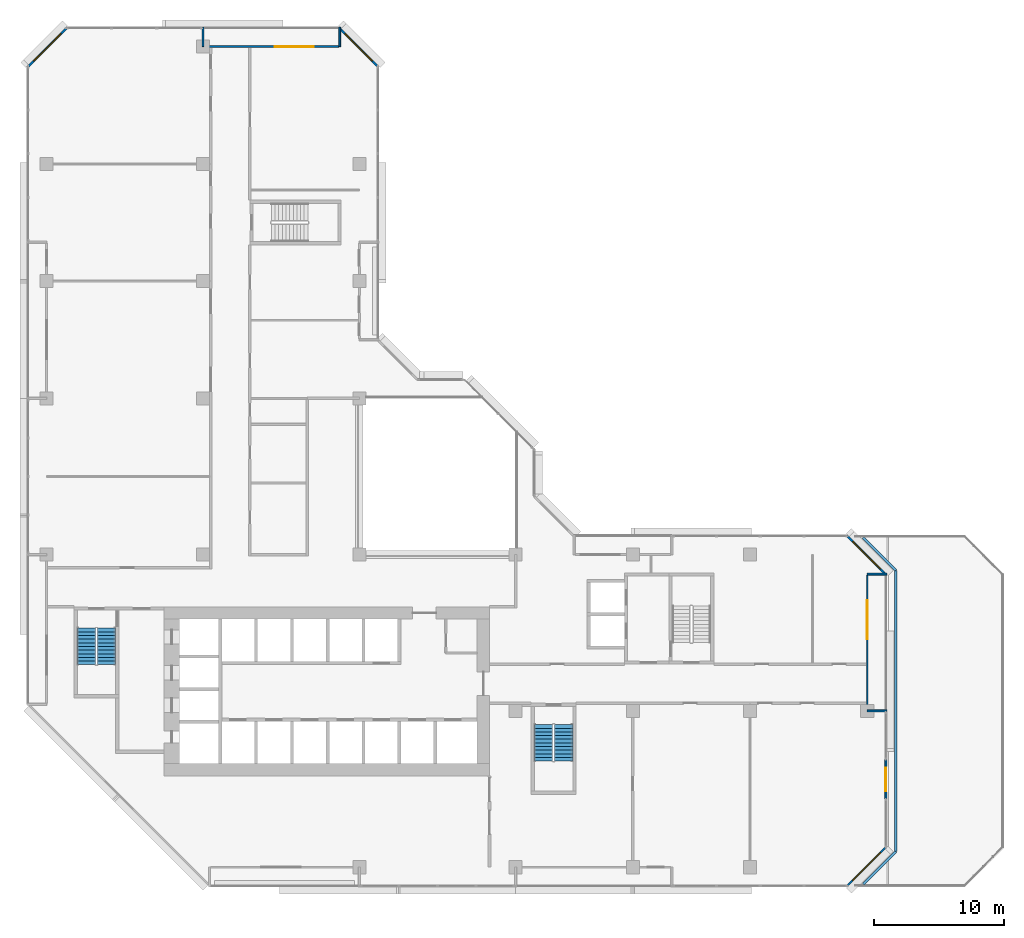
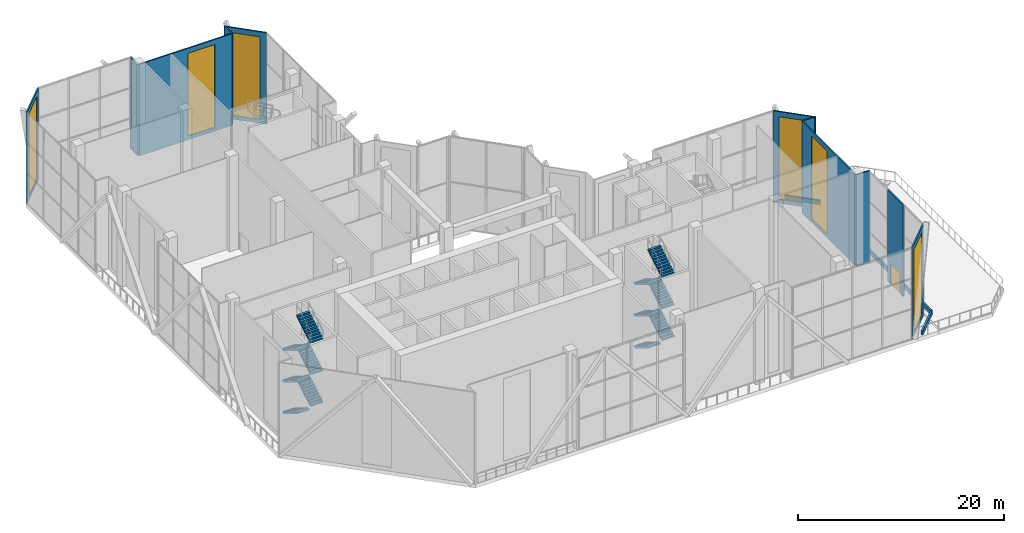
# One storey, part 16 of 21: 14 walls, 12 stair flights, 6 windows, 1 door, 7 openings, 2 elements without a shape of their own.
"""IFC4 building model written with IfcOpenShell, lengths in metres."""

from ifc_helpers import new_model, si_unit, direction, frame, frame_2d, origin, place, context, subcontext, project, spatial, polyline, rectangle, outline, extrude, material, layer, layer_set, type_object, element, fill, aggregate, save


model = new_model("IFC4")

# Units and contexts
model_context = context("Model", 3, precision=1e-05, world=origin(), true_north=direction((0.0, 1.0)))
body_context = subcontext(model_context, "Body", "Model", "MODEL_VIEW")
ifc_project = project(units=[si_unit("LENGTHUNIT", "METRE"), si_unit("AREAUNIT", "SQUARE_METRE"), si_unit("VOLUMEUNIT", "CUBIC_METRE"), si_unit("PLANEANGLEUNIT", "RADIAN"), si_unit("MASSUNIT", "GRAM", prefix="KILO")], contexts=[model_context])

# Site, building, storey
site_placement = place(None, origin())
site = spatial("IfcSite", under=ifc_project, at=site_placement, CompositionType="ELEMENT")
building_placement = place(site_placement, origin())
building = spatial("IfcBuilding", under=site, at=building_placement, Name="Chenar Terraces", CompositionType="ELEMENT")
storey_placement = place(building_placement, frame((0.0, 0.0, 146.14990234375)))
storey = spatial("IfcBuildingStorey", under=building, at=storey_placement, Name="L34", CompositionType="ELEMENT", Elevation=146.14990234375)

# Wall, opening, door
ifc_material_1 = material(Name="Aluminium framed glazing", Category="aluminium")
ifc_layer_1 = layer(ifc_material_1, 0.14990234375)
ifc_layer_set_1 = layer_set([ifc_layer_1], Name="Aluminium framed glazing")
wall_type_1 = type_object("IfcWallType", Name="Glazed flush facade wall 150", PredefinedType="SOLIDWALL", material=ifc_layer_set_1)
wall_1_placement = place(storey_placement, frame((64.425048828125, 5.25, 0.0), z_axis=(0.0, 0.0, 1.0), x_axis=(0.0, 1.0, 0.0)))
wall_1 = element("IfcWall", 1, at=wall_1_placement, inside=storey, type_object=wall_type_1, Name="Glazed flush facade wall", PredefinedType="SOLIDWALL", context=body_context, shape_type="SweptSolid", body=[
    extrude(rectangle(XDim=3.0, YDim=0.14990234375, at=frame_2d((1.5, 0.0))), origin(), (0.0, 0.0, 1.0), 10.85009765625),
])
opening_1_placement = place(wall_1_placement, frame((0.60009765625, 0.0, 0.0)))
opening_1 = element("IfcOpeningElement", 2, at=opening_1_placement, cuts=wall_1, Name="Opening DL34-S35", PredefinedType="OPENING", context=body_context, shape_type="SweptSolid", body=[
    extrude(rectangle(XDim=1.800048828125, YDim=2.39990234375, at=frame_2d((0.89990234375, 1.199951171875))), frame((0.0, 0.0849609375, 0.0), z_axis=(0.0, -1.0, 0.0), x_axis=(1.0, 0.0, 0.0)), (0.0, 0.0, 1.0), 0.169921875),
])
ifc_material_2 = material(Name="Low emissivity double glazing, aluminium frame", Category="aluminium")
door_type = type_object("IfcDoorType", Name="Terrace glazed double door 1800 x 2400", OperationType="DOUBLE_DOOR_SINGLE_SWING", PredefinedType="DOOR", material=ifc_material_2)
door_placement = place(opening_1_placement, origin())
door = element("IfcDoor", 3, at=door_placement, inside=storey, type_object=door_type, Name="Terrace glazed door", OperationType="DOUBLE_DOOR_SINGLE_SWING", OverallHeight=2.39990234375, OverallWidth=1.800048828125, PredefinedType="DOOR", context=body_context, shape_type="SweptSolid", body=[
    extrude(rectangle(XDim=1.800048828125, YDim=2.39990234375, at=frame_2d((0.89990234375, 1.199951171875))), frame((0.0, 0.02490234375, 0.0), z_axis=(0.0, -1.0, 0.0), x_axis=(1.0, 0.0, 0.0)), (0.0, 0.0, 1.0), 0.050048828125),
])
fill(opening_1, door)

# Wall, opening, window
ifc_material_3 = material(Name="Aluminium framed glazing", Category="aluminium")
ifc_layer_2 = layer(ifc_material_3, 0.14990234375)
ifc_layer_set_2 = layer_set([ifc_layer_2], Name="Aluminium framed glazing")
wall_type_2 = type_object("IfcWallType", Name="Glazed loggia back wall 150", PredefinedType="SOLIDWALL", material=ifc_layer_set_2)
wall_2_placement = place(storey_placement, frame((22.425048828125, 63.0, 0.0), z_axis=(0.0, 0.0, 1.0), x_axis=(-1.0, 0.0, 0.0)))
wall_2 = element("IfcWall", 4, at=wall_2_placement, inside=storey, type_object=wall_type_2, Name="Glazed loggia back wall", PredefinedType="SOLIDWALL", context=body_context, shape_type="SweptSolid", body=[
    extrude(rectangle(XDim=10.35009765625, YDim=0.14990234375, at=frame_2d((5.175048828125, 0.0))), origin(), (0.0, 0.0, 1.0), 10.85009765625),
])
opening_2_placement = place(wall_2_placement, frame((1.91259765625, 0.0, 0.449951171875)))
opening_2 = element("IfcOpeningElement", 5, at=opening_2_placement, cuts=wall_2, Name="Opening W300x980", PredefinedType="OPENING", context=body_context, shape_type="SweptSolid", body=[
    extrude(rectangle(XDim=3.0, YDim=9.800048828125, at=frame_2d((1.5, 4.89990234375))), frame((0.0, 0.0849609375, 0.0), z_axis=(0.0, -1.0, 0.0), x_axis=(1.0, 0.0, 0.0)), (0.0, 0.0, 1.0), 0.169921875),
])
ifc_material_4 = material(Name="Low emissivity double glazing, aluminium frame", Category="aluminium")
window_type = type_object("IfcWindowType", Name="Fixed light 3000 x 9800", PartitioningType="SINGLE_PANEL", PredefinedType="WINDOW", material=ifc_material_4)
window_1_placement = place(opening_2_placement, origin())
window_1 = element("IfcWindow", 6, at=window_1_placement, inside=storey, type_object=window_type, Name="Window", OverallHeight=9.800048828125, OverallWidth=3.0, PartitioningType="SINGLE_PANEL", PredefinedType="WINDOW", context=body_context, shape_type="SweptSolid", body=[
    extrude(rectangle(XDim=3.0, YDim=9.800048828125, at=frame_2d((1.5, 4.89990234375))), frame((0.0, 0.030029296875, 0.0), z_axis=(0.0, -1.0, 0.0), x_axis=(1.0, 0.0, 0.0)), (0.0, 0.0, 1.0), 0.06005859375),
])
fill(opening_2, window_1)

wall_3_placement = place(storey_placement, frame((63.0, 12.074951171875, 0.0), z_axis=(0.0, 0.0, 1.0), x_axis=(0.0, 1.0, 0.0)))
wall_3 = element("IfcWall", 7, at=wall_3_placement, inside=storey, type_object=wall_type_2, Name="Glazed loggia back wall", PredefinedType="SOLIDWALL", context=body_context, shape_type="SweptSolid", body=[
    extrude(rectangle(XDim=10.35009765625, YDim=0.14990234375, at=frame_2d((5.175048828125, 0.0))), origin(), (0.0, 0.0, 1.0), 10.85009765625),
])
opening_3_placement = place(wall_3_placement, frame((5.4375, 0.0, 0.449951171875)))
opening_3 = element("IfcOpeningElement", 8, at=opening_3_placement, cuts=wall_3, Name="Opening W300x980", PredefinedType="OPENING", context=body_context, shape_type="SweptSolid", body=[
    extrude(rectangle(XDim=3.0, YDim=9.800048828125, at=frame_2d((1.5, 4.89990234375))), frame((0.0, 0.0849609375, 0.0), z_axis=(0.0, -1.0, 0.0), x_axis=(1.0, 0.0, 0.0)), (0.0, 0.0, 1.0), 0.169921875),
])
window_2_placement = place(opening_3_placement, origin())
window_2 = element("IfcWindow", 9, at=window_2_placement, inside=storey, type_object=window_type, Name="Window", OverallHeight=9.800048828125, OverallWidth=3.0, PartitioningType="SINGLE_PANEL", PredefinedType="WINDOW", context=body_context, shape_type="SweptSolid", body=[
    extrude(rectangle(XDim=3.0, YDim=9.800048828125, at=frame_2d((1.5, 4.89990234375))), frame((0.0, 0.030029296875, 0.0), z_axis=(0.0, -1.0, 0.0), x_axis=(1.0, 0.0, 0.0)), (0.0, 0.0, 1.0), 0.06005859375),
])
fill(opening_3, window_2)

# Walls
ifc_material_5 = material(Name="Terracotta cladding on insulated backing", Category="masonry")
ifc_layer_3 = layer(ifc_material_5, 0.14990234375)
ifc_layer_set_3 = layer_set([ifc_layer_3], Name="Terracotta cladding on insulated backing")
wall_type_3 = type_object("IfcWallType", Name="Loggia return wall 150", PredefinedType="SOLIDWALL", material=ifc_layer_set_3)
for number, where, z_axis, x_axis, name in (
    (10, (22.5, 64.5, 0.0), (0.0, 0.0, 1.0), (0.0, -1.0, 0.0), "Loggia return wall"),
    (11, (12.0, 64.5, 0.0), (0.0, 0.0, 1.0), (0.0, -1.0, 0.0), "Loggia return wall"),
    (12, (64.5, 12.0, 0.0), (0.0, 0.0, 1.0), (-1.0, 0.0, 0.0), "Loggia return wall"),
    (13, (64.5, 22.5, 0.0), (0.0, 0.0, 1.0), (-1.0, 0.0, 0.0), "Loggia return wall"),
):
    element("IfcWall", number, at=place(storey_placement, frame(where, z_axis=z_axis, x_axis=x_axis)), inside=storey, type_object=wall_type_3, Name=name, PredefinedType="SOLIDWALL", context=body_context, shape_type="SweptSolid", body=[
        extrude(rectangle(XDim=1.5, YDim=0.14990234375, at=frame_2d((0.75, 0.0))), origin(), (0.0, 0.0, 1.0), 10.85009765625),
    ])
ifc_material_6 = material(Name="Terracotta cladding on insulated backing", Category="masonry")
ifc_layer_4 = layer(ifc_material_6, 0.199951171875)
ifc_layer_set_4 = layer_set([ifc_layer_4], Name="Terracotta cladding on insulated backing")
wall_type_4 = type_object("IfcWallType", Name="Terrace parapet upstand 200", PredefinedType="PARAPET", material=ifc_layer_set_4)
wall_4_placement = place(storey_placement, frame((62.68994140625, 25.300048828125, 0.0), z_axis=(0.0, 0.0, 1.0), x_axis=(0.707106781187, -0.707106781187, 0.0)))
element("IfcWall", 14, at=wall_4_placement, inside=storey, type_object=wall_type_4, Name="Terrace parapet", PredefinedType="PARAPET", context=body_context, shape_type="SweptSolid", body=[
    extrude(rectangle(XDim=3.5498046875, YDim=0.199951171875, at=frame_2d((1.77490234375, 0.0))), origin(), (0.0, 0.0, 1.0), 0.5),
])
wall_5_placement = place(storey_placement, frame((65.199951171875, 22.7900390625, 0.0), z_axis=(0.0, 0.0, 1.0), x_axis=(0.0, -1.0, 0.0)))
element("IfcWall", 15, at=wall_5_placement, inside=storey, type_object=wall_type_4, Name="Terrace parapet", PredefinedType="PARAPET", context=body_context, shape_type="SweptSolid", body=[
    extrude(rectangle(XDim=21.580078125, YDim=0.199951171875, at=frame_2d((10.7900390625, 0.0))), origin(), (0.0, 0.0, 1.0), 0.5),
])
wall_6_placement = place(storey_placement, frame((65.199951171875, 1.2099609375, 0.0), z_axis=(0.0, 0.0, 1.0), x_axis=(-0.707106781187, -0.707106781187, 0.0)))
element("IfcWall", 16, at=wall_6_placement, inside=storey, type_object=wall_type_4, Name="Terrace parapet", PredefinedType="PARAPET", context=body_context, shape_type="SweptSolid", body=[
    extrude(rectangle(XDim=3.5498046875, YDim=0.199951171875, at=frame_2d((1.77490234375, 0.0))), origin(), (0.0, 0.0, 1.0), 0.5),
])

# Wall, opening, window
ifc_material_7 = material(Name="Terracotta cladding on insulated backing", Category="masonry")
ifc_layer_5 = layer(ifc_material_7, 0.14990234375)
ifc_layer_set_5 = layer_set([ifc_layer_5], Name="Terracotta cladding on insulated backing")
wall_type_5 = type_object("IfcWallType", Name="Terracotta rainscreen wall 150", PredefinedType="SOLIDWALL", material=ifc_layer_set_5)
wall_7_placement = place(storey_placement, frame((25.447021484375, 61.447021484375, 0.0), z_axis=(0.0, 0.0, 1.0), x_axis=(-0.707106781187, 0.707106781187, 0.0)))
wall_7 = element("IfcWall", 17, at=wall_7_placement, inside=storey, type_object=wall_type_5, Name="Terracotta rainscreen wall", PredefinedType="SOLIDWALL", context=body_context, shape_type="SweptSolid", body=[
    extrude(rectangle(XDim=4.24267578125, YDim=0.14990234375, at=frame_2d((2.121337890625, 0.0))), origin(), (0.0, 0.0, 1.0), 10.85009765625),
])
opening_4_placement = place(wall_7_placement, frame((0.621337890625, 0.0, 0.449951171875)))
opening_4 = element("IfcOpeningElement", 18, at=opening_4_placement, cuts=wall_7, Name="Opening W300x980", PredefinedType="OPENING", context=body_context, shape_type="SweptSolid", body=[
    extrude(rectangle(XDim=3.0, YDim=9.800048828125, at=frame_2d((1.5, 4.89990234375))), frame((0.0, 0.0849609375, 0.0), z_axis=(0.0, -1.0, 0.0), x_axis=(1.0, 0.0, 0.0)), (0.0, 0.0, 1.0), 0.169921875),
])
window_3_placement = place(opening_4_placement, origin())
window_3 = element("IfcWindow", 19, at=window_3_placement, inside=storey, type_object=window_type, Name="Window", OverallHeight=9.800048828125, OverallWidth=3.0, PartitioningType="SINGLE_PANEL", PredefinedType="WINDOW", context=body_context, shape_type="SweptSolid", body=[
    extrude(rectangle(XDim=3.0, YDim=9.800048828125, at=frame_2d((1.5, 4.89990234375))), frame((0.0, 0.030029296875, 0.0), z_axis=(0.0, -1.0, 0.0), x_axis=(1.0, 0.0, 0.0)), (0.0, 0.0, 1.0), 0.06005859375),
])
fill(opening_4, window_3)

wall_8_placement = place(storey_placement, frame((1.552978515625, 64.447021484375, 0.0), z_axis=(0.0, 0.0, 1.0), x_axis=(-0.707106781187, -0.707106781187, 0.0)))
wall_8 = element("IfcWall", 20, at=wall_8_placement, inside=storey, type_object=wall_type_5, Name="Terracotta rainscreen wall", PredefinedType="SOLIDWALL", context=body_context, shape_type="SweptSolid", body=[
    extrude(rectangle(XDim=4.24267578125, YDim=0.14990234375, at=frame_2d((2.121337890625, 0.0))), origin(), (0.0, 0.0, 1.0), 10.85009765625),
])
opening_5_placement = place(wall_8_placement, frame((0.621337890625, 0.0, 0.449951171875)))
opening_5 = element("IfcOpeningElement", 21, at=opening_5_placement, cuts=wall_8, Name="Opening W300x980", PredefinedType="OPENING", context=body_context, shape_type="SweptSolid", body=[
    extrude(rectangle(XDim=3.0, YDim=9.800048828125, at=frame_2d((1.5, 4.89990234375))), frame((0.0, 0.0849609375, 0.0), z_axis=(0.0, -1.0, 0.0), x_axis=(1.0, 0.0, 0.0)), (0.0, 0.0, 1.0), 0.169921875),
])
window_4_placement = place(opening_5_placement, origin())
window_4 = element("IfcWindow", 22, at=window_4_placement, inside=storey, type_object=window_type, Name="Window", OverallHeight=9.800048828125, OverallWidth=3.0, PartitioningType="SINGLE_PANEL", PredefinedType="WINDOW", context=body_context, shape_type="SweptSolid", body=[
    extrude(rectangle(XDim=3.0, YDim=9.800048828125, at=frame_2d((1.5, 4.89990234375))), frame((0.0, 0.030029296875, 0.0), z_axis=(0.0, -1.0, 0.0), x_axis=(1.0, 0.0, 0.0)), (0.0, 0.0, 1.0), 0.06005859375),
])
fill(opening_5, window_4)

wall_9_placement = place(storey_placement, frame((61.447021484375, -1.447021484375, 0.0), z_axis=(0.0, 0.0, 1.0), x_axis=(0.707106781187, 0.707106781187, 0.0)))
wall_9 = element("IfcWall", 23, at=wall_9_placement, inside=storey, type_object=wall_type_5, Name="Terracotta rainscreen wall", PredefinedType="SOLIDWALL", context=body_context, shape_type="SweptSolid", body=[
    extrude(rectangle(XDim=4.24267578125, YDim=0.14990234375, at=frame_2d((2.121337890625, 0.0))), origin(), (0.0, 0.0, 1.0), 10.85009765625),
])
opening_6_placement = place(wall_9_placement, frame((0.621337890625, 0.0, 0.449951171875)))
opening_6 = element("IfcOpeningElement", 24, at=opening_6_placement, cuts=wall_9, Name="Opening W300x980", PredefinedType="OPENING", context=body_context, shape_type="SweptSolid", body=[
    extrude(rectangle(XDim=3.0, YDim=9.800048828125, at=frame_2d((1.5, 4.89990234375))), frame((0.0, 0.0849609375, 0.0), z_axis=(0.0, -1.0, 0.0), x_axis=(1.0, 0.0, 0.0)), (0.0, 0.0, 1.0), 0.169921875),
])
window_5_placement = place(opening_6_placement, origin())
window_5 = element("IfcWindow", 25, at=window_5_placement, inside=storey, type_object=window_type, Name="Window", OverallHeight=9.800048828125, OverallWidth=3.0, PartitioningType="SINGLE_PANEL", PredefinedType="WINDOW", context=body_context, shape_type="SweptSolid", body=[
    extrude(rectangle(XDim=3.0, YDim=9.800048828125, at=frame_2d((1.5, 4.89990234375))), frame((0.0, 0.030029296875, 0.0), z_axis=(0.0, -1.0, 0.0), x_axis=(1.0, 0.0, 0.0)), (0.0, 0.0, 1.0), 0.06005859375),
])
fill(opening_6, window_5)

wall_10_placement = place(storey_placement, frame((64.447021484375, 22.447021484375, 0.0), z_axis=(0.0, 0.0, 1.0), x_axis=(-0.707106781187, 0.707106781187, 0.0)))
wall_10 = element("IfcWall", 26, at=wall_10_placement, inside=storey, type_object=wall_type_5, Name="Terracotta rainscreen wall", PredefinedType="SOLIDWALL", context=body_context, shape_type="SweptSolid", body=[
    extrude(rectangle(XDim=4.24267578125, YDim=0.14990234375, at=frame_2d((2.121337890625, 0.0))), origin(), (0.0, 0.0, 1.0), 10.85009765625),
])
opening_7_placement = place(wall_10_placement, frame((0.621337890625, 0.0, 0.449951171875)))
opening_7 = element("IfcOpeningElement", 27, at=opening_7_placement, cuts=wall_10, Name="Opening W300x980", PredefinedType="OPENING", context=body_context, shape_type="SweptSolid", body=[
    extrude(rectangle(XDim=3.0, YDim=9.800048828125, at=frame_2d((1.5, 4.89990234375))), frame((0.0, 0.0849609375, 0.0), z_axis=(0.0, -1.0, 0.0), x_axis=(1.0, 0.0, 0.0)), (0.0, 0.0, 1.0), 0.169921875),
])
window_6_placement = place(opening_7_placement, origin())
window_6 = element("IfcWindow", 28, at=window_6_placement, inside=storey, type_object=window_type, Name="Window", OverallHeight=9.800048828125, OverallWidth=3.0, PartitioningType="SINGLE_PANEL", PredefinedType="WINDOW", context=body_context, shape_type="SweptSolid", body=[
    extrude(rectangle(XDim=3.0, YDim=9.800048828125, at=frame_2d((1.5, 4.89990234375))), frame((0.0, 0.030029296875, 0.0), z_axis=(0.0, -1.0, 0.0), x_axis=(1.0, 0.0, 0.0)), (0.0, 0.0, 1.0), 0.06005859375),
])
fill(opening_7, window_6)

# Stair, stair flights
ifc_material_8 = material(Name="Reinforced concrete C40/50", Category="concrete")
stair_type = type_object("IfcStairType", Name="Core stair 1400 half-turn", PredefinedType="HALF_TURN_STAIR", material=ifc_material_8)
placement = place(storey_placement, origin())
stair_1 = element("IfcStair", 29, at=placement, inside=storey, type_object=stair_type, Name="L34 Stair 1", PredefinedType="HALF_TURN_STAIR")
ifc_material_9 = material(Name="Reinforced concrete C40/50", Category="concrete")
stair_flight_type = type_object("IfcStairFlightType", Name="Core stair flight 1400", PredefinedType="STRAIGHT", material=ifc_material_9)
stair_flight_1_placement = place(storey_placement, frame((3.050048828125, 18.35009765625, 0.0), z_axis=(0.0, 0.0, 1.0), x_axis=(0.0, -1.0, 0.0)))
stair_flight_1 = element("IfcStairFlight", 30, at=stair_flight_1_placement, type_object=stair_flight_type, Name="ST1 flight 1", NumberOfRisers=11, NumberOfTreads=10, PredefinedType="STRAIGHT", RiserHeight=0.170454545, TreadLength=0.28, context=body_context, shape_type="SweptSolid", body=[
    extrude(outline(polyline([(-0.0029296875, 0.0), (-0.0029296875, 0.17041015625), (0.0, 0.17041015625), (0.280029296875, 0.17041015625), (0.280029296875, 0.3408203125), (0.56005859375, 0.3408203125), (0.56005859375, 0.511474609375), (0.840087890625, 0.511474609375), (0.840087890625, 0.681884765625), (1.1201171875, 0.681884765625), (1.1201171875, 0.852294921875), (1.39990234375, 0.852294921875), (1.39990234375, 1.022705078125), (1.679931640625, 1.022705078125), (1.679931640625, 1.193115234375), (1.9599609375, 1.193115234375), (1.9599609375, 1.363525390625), (2.239990234375, 1.363525390625), (2.239990234375, 1.5341796875), (2.52001953125, 1.5341796875), (2.52001953125, 1.70458984375), (2.800048828125, 1.70458984375), (2.802978515625, 1.70458984375), (2.802978515625, 1.529052734375), (2.800048828125, 1.529052734375), (0.288330078125, 0.0), (-0.0029296875, 0.0)])), frame((0.0, 0.699951171875, 0.0), z_axis=(0.0, -1.0, 0.0), x_axis=(1.0, 0.0, 0.0)), (0.0, 0.0, 1.0), 1.39990234375),
])
stair_flight_2_placement = place(storey_placement, frame((4.60009765625, 15.550048828125, 1.875), z_axis=(0.0, 0.0, 1.0), x_axis=(0.0, 1.0, 0.0)))
stair_flight_2 = element("IfcStairFlight", 31, at=stair_flight_2_placement, type_object=stair_flight_type, Name="ST1 flight 2", NumberOfRisers=11, NumberOfTreads=10, PredefinedType="STRAIGHT", RiserHeight=0.170454545, TreadLength=0.28, context=body_context, shape_type="SweptSolid", body=[
    extrude(outline(polyline([(-0.0029296875, 0.0), (-0.0029296875, 0.17041015625), (0.0, 0.17041015625), (0.280029296875, 0.17041015625), (0.280029296875, 0.3408203125), (0.56005859375, 0.3408203125), (0.56005859375, 0.511474609375), (0.840087890625, 0.511474609375), (0.840087890625, 0.681884765625), (1.1201171875, 0.681884765625), (1.1201171875, 0.852294921875), (1.39990234375, 0.852294921875), (1.39990234375, 1.022705078125), (1.679931640625, 1.022705078125), (1.679931640625, 1.193115234375), (1.9599609375, 1.193115234375), (1.9599609375, 1.363525390625), (2.239990234375, 1.363525390625), (2.239990234375, 1.5341796875), (2.52001953125, 1.5341796875), (2.52001953125, 1.70458984375), (2.800048828125, 1.70458984375), (2.802978515625, 1.70458984375), (2.802978515625, 1.529052734375), (2.800048828125, 1.529052734375), (0.288330078125, 0.0), (-0.0029296875, 0.0)])), frame((0.0, 0.699951171875, 0.0), z_axis=(0.0, -1.0, 0.0), x_axis=(1.0, 0.0, 0.0)), (0.0, 0.0, 1.0), 1.39990234375),
])
stair_flight_3_placement = place(storey_placement, frame((3.050048828125, 18.35009765625, 3.75), z_axis=(0.0, 0.0, 1.0), x_axis=(0.0, -1.0, 0.0)))
stair_flight_3 = element("IfcStairFlight", 32, at=stair_flight_3_placement, type_object=stair_flight_type, Name="ST1 flight 3", NumberOfRisers=11, NumberOfTreads=10, PredefinedType="STRAIGHT", RiserHeight=0.170454545, TreadLength=0.28, context=body_context, shape_type="SweptSolid", body=[
    extrude(outline(polyline([(-0.0029296875, 0.0), (-0.0029296875, 0.17041015625), (0.0, 0.17041015625), (0.280029296875, 0.17041015625), (0.280029296875, 0.3408203125), (0.56005859375, 0.3408203125), (0.56005859375, 0.511474609375), (0.840087890625, 0.511474609375), (0.840087890625, 0.681884765625), (1.1201171875, 0.681884765625), (1.1201171875, 0.852294921875), (1.39990234375, 0.852294921875), (1.39990234375, 1.022705078125), (1.679931640625, 1.022705078125), (1.679931640625, 1.193115234375), (1.9599609375, 1.193115234375), (1.9599609375, 1.363525390625), (2.239990234375, 1.363525390625), (2.239990234375, 1.5341796875), (2.52001953125, 1.5341796875), (2.52001953125, 1.70458984375), (2.800048828125, 1.70458984375), (2.802978515625, 1.70458984375), (2.802978515625, 1.529052734375), (2.800048828125, 1.529052734375), (0.288330078125, 0.0), (-0.0029296875, 0.0)])), frame((0.0, 0.699951171875, 0.0), z_axis=(0.0, -1.0, 0.0), x_axis=(1.0, 0.0, 0.0)), (0.0, 0.0, 1.0), 1.39990234375),
])
stair_flight_4_placement = place(storey_placement, frame((4.60009765625, 15.550048828125, 5.625), z_axis=(0.0, 0.0, 1.0), x_axis=(0.0, 1.0, 0.0)))
stair_flight_4 = element("IfcStairFlight", 33, at=stair_flight_4_placement, type_object=stair_flight_type, Name="ST1 flight 4", NumberOfRisers=11, NumberOfTreads=10, PredefinedType="STRAIGHT", RiserHeight=0.170454545, TreadLength=0.28, context=body_context, shape_type="SweptSolid", body=[
    extrude(outline(polyline([(-0.0029296875, 0.0), (-0.0029296875, 0.17041015625), (0.0, 0.17041015625), (0.280029296875, 0.17041015625), (0.280029296875, 0.3408203125), (0.56005859375, 0.3408203125), (0.56005859375, 0.511474609375), (0.840087890625, 0.511474609375), (0.840087890625, 0.681884765625), (1.1201171875, 0.681884765625), (1.1201171875, 0.852294921875), (1.39990234375, 0.852294921875), (1.39990234375, 1.022705078125), (1.679931640625, 1.022705078125), (1.679931640625, 1.193115234375), (1.9599609375, 1.193115234375), (1.9599609375, 1.363525390625), (2.239990234375, 1.363525390625), (2.239990234375, 1.5341796875), (2.52001953125, 1.5341796875), (2.52001953125, 1.70458984375), (2.800048828125, 1.70458984375), (2.802978515625, 1.70458984375), (2.802978515625, 1.529052734375), (2.800048828125, 1.529052734375), (0.288330078125, 0.0), (-0.0029296875, 0.0)])), frame((0.0, 0.699951171875, 0.0), z_axis=(0.0, -1.0, 0.0), x_axis=(1.0, 0.0, 0.0)), (0.0, 0.0, 1.0), 1.39990234375),
])
stair_flight_5_placement = place(storey_placement, frame((3.050048828125, 18.35009765625, 7.5), z_axis=(0.0, 0.0, 1.0), x_axis=(0.0, -1.0, 0.0)))
stair_flight_5 = element("IfcStairFlight", 34, at=stair_flight_5_placement, type_object=stair_flight_type, Name="ST1 flight 5", NumberOfRisers=11, NumberOfTreads=10, PredefinedType="STRAIGHT", RiserHeight=0.170454545, TreadLength=0.28, context=body_context, shape_type="SweptSolid", body=[
    extrude(outline(polyline([(-0.0029296875, 0.0), (-0.0029296875, 0.17041015625), (0.0, 0.17041015625), (0.280029296875, 0.17041015625), (0.280029296875, 0.3408203125), (0.56005859375, 0.3408203125), (0.56005859375, 0.511474609375), (0.840087890625, 0.511474609375), (0.840087890625, 0.681884765625), (1.1201171875, 0.681884765625), (1.1201171875, 0.852294921875), (1.39990234375, 0.852294921875), (1.39990234375, 1.022705078125), (1.679931640625, 1.022705078125), (1.679931640625, 1.193115234375), (1.9599609375, 1.193115234375), (1.9599609375, 1.363525390625), (2.239990234375, 1.363525390625), (2.239990234375, 1.5341796875), (2.52001953125, 1.5341796875), (2.52001953125, 1.70458984375), (2.800048828125, 1.70458984375), (2.802978515625, 1.70458984375), (2.802978515625, 1.529052734375), (2.800048828125, 1.529052734375), (0.288330078125, 0.0), (-0.0029296875, 0.0)])), frame((0.0, 0.699951171875, 0.0), z_axis=(0.0, -1.0, 0.0), x_axis=(1.0, 0.0, 0.0)), (0.0, 0.0, 1.0), 1.39990234375),
])
stair_flight_6_placement = place(storey_placement, frame((4.60009765625, 15.550048828125, 9.375), z_axis=(0.0, 0.0, 1.0), x_axis=(0.0, 1.0, 0.0)))
stair_flight_6 = element("IfcStairFlight", 35, at=stair_flight_6_placement, type_object=stair_flight_type, Name="ST1 flight 6", NumberOfRisers=11, NumberOfTreads=10, PredefinedType="STRAIGHT", RiserHeight=0.170454545, TreadLength=0.28, context=body_context, shape_type="SweptSolid", body=[
    extrude(outline(polyline([(-0.0029296875, 0.0), (-0.0029296875, 0.17041015625), (0.0, 0.17041015625), (0.280029296875, 0.17041015625), (0.280029296875, 0.3408203125), (0.56005859375, 0.3408203125), (0.56005859375, 0.511474609375), (0.840087890625, 0.511474609375), (0.840087890625, 0.681884765625), (1.1201171875, 0.681884765625), (1.1201171875, 0.852294921875), (1.39990234375, 0.852294921875), (1.39990234375, 1.022705078125), (1.679931640625, 1.022705078125), (1.679931640625, 1.193115234375), (1.9599609375, 1.193115234375), (1.9599609375, 1.363525390625), (2.239990234375, 1.363525390625), (2.239990234375, 1.5341796875), (2.52001953125, 1.5341796875), (2.52001953125, 1.70458984375), (2.800048828125, 1.70458984375), (2.802978515625, 1.70458984375), (2.802978515625, 1.529052734375), (2.800048828125, 1.529052734375), (0.288330078125, 0.0), (-0.0029296875, 0.0)])), frame((0.0, 0.699951171875, 0.0), z_axis=(0.0, -1.0, 0.0), x_axis=(1.0, 0.0, 0.0)), (0.0, 0.0, 1.0), 1.39990234375),
])
aggregate(stair_1, [stair_flight_1, stair_flight_2, stair_flight_3, stair_flight_4, stair_flight_5, stair_flight_6])

stair_2 = element("IfcStair", 36, at=placement, inside=storey, type_object=stair_type, Name="L34 Stair 2", PredefinedType="HALF_TURN_STAIR")
stair_flight_7_placement = place(storey_placement, frame((38.14990234375, 10.949951171875, 0.0), z_axis=(0.0, 0.0, 1.0), x_axis=(0.0, -1.0, 0.0)))
stair_flight_7 = element("IfcStairFlight", 37, at=stair_flight_7_placement, type_object=stair_flight_type, Name="ST2 flight 1", NumberOfRisers=11, NumberOfTreads=10, PredefinedType="STRAIGHT", RiserHeight=0.170454545, TreadLength=0.28, context=body_context, shape_type="SweptSolid", body=[
    extrude(outline(polyline([(-0.0029296875, 0.0), (-0.0029296875, 0.17041015625), (0.0, 0.17041015625), (0.280029296875, 0.17041015625), (0.280029296875, 0.3408203125), (0.56005859375, 0.3408203125), (0.56005859375, 0.511474609375), (0.840087890625, 0.511474609375), (0.840087890625, 0.681884765625), (1.1201171875, 0.681884765625), (1.1201171875, 0.852294921875), (1.39990234375, 0.852294921875), (1.39990234375, 1.022705078125), (1.679931640625, 1.022705078125), (1.679931640625, 1.193115234375), (1.9599609375, 1.193115234375), (1.9599609375, 1.363525390625), (2.239990234375, 1.363525390625), (2.239990234375, 1.5341796875), (2.52001953125, 1.5341796875), (2.52001953125, 1.70458984375), (2.800048828125, 1.70458984375), (2.802978515625, 1.70458984375), (2.802978515625, 1.529052734375), (2.800048828125, 1.529052734375), (0.288330078125, 0.0), (-0.0029296875, 0.0)])), frame((0.0, 0.699951171875, 0.0), z_axis=(0.0, -1.0, 0.0), x_axis=(1.0, 0.0, 0.0)), (0.0, 0.0, 1.0), 1.39990234375),
])
stair_flight_8_placement = place(storey_placement, frame((39.699951171875, 8.14990234375, 1.875), z_axis=(0.0, 0.0, 1.0), x_axis=(0.0, 1.0, 0.0)))
stair_flight_8 = element("IfcStairFlight", 38, at=stair_flight_8_placement, type_object=stair_flight_type, Name="ST2 flight 2", NumberOfRisers=11, NumberOfTreads=10, PredefinedType="STRAIGHT", RiserHeight=0.170454545, TreadLength=0.28, context=body_context, shape_type="SweptSolid", body=[
    extrude(outline(polyline([(-0.0029296875, 0.0), (-0.0029296875, 0.17041015625), (0.0, 0.17041015625), (0.280029296875, 0.17041015625), (0.280029296875, 0.3408203125), (0.56005859375, 0.3408203125), (0.56005859375, 0.511474609375), (0.840087890625, 0.511474609375), (0.840087890625, 0.681884765625), (1.1201171875, 0.681884765625), (1.1201171875, 0.852294921875), (1.39990234375, 0.852294921875), (1.39990234375, 1.022705078125), (1.679931640625, 1.022705078125), (1.679931640625, 1.193115234375), (1.9599609375, 1.193115234375), (1.9599609375, 1.363525390625), (2.239990234375, 1.363525390625), (2.239990234375, 1.5341796875), (2.52001953125, 1.5341796875), (2.52001953125, 1.70458984375), (2.800048828125, 1.70458984375), (2.802978515625, 1.70458984375), (2.802978515625, 1.529052734375), (2.800048828125, 1.529052734375), (0.288330078125, 0.0), (-0.0029296875, 0.0)])), frame((0.0, 0.699951171875, 0.0), z_axis=(0.0, -1.0, 0.0), x_axis=(1.0, 0.0, 0.0)), (0.0, 0.0, 1.0), 1.39990234375),
])
stair_flight_9_placement = place(storey_placement, frame((38.14990234375, 10.949951171875, 3.75), z_axis=(0.0, 0.0, 1.0), x_axis=(0.0, -1.0, 0.0)))
stair_flight_9 = element("IfcStairFlight", 39, at=stair_flight_9_placement, type_object=stair_flight_type, Name="ST2 flight 3", NumberOfRisers=11, NumberOfTreads=10, PredefinedType="STRAIGHT", RiserHeight=0.170454545, TreadLength=0.28, context=body_context, shape_type="SweptSolid", body=[
    extrude(outline(polyline([(-0.0029296875, 0.0), (-0.0029296875, 0.17041015625), (0.0, 0.17041015625), (0.280029296875, 0.17041015625), (0.280029296875, 0.3408203125), (0.56005859375, 0.3408203125), (0.56005859375, 0.511474609375), (0.840087890625, 0.511474609375), (0.840087890625, 0.681884765625), (1.1201171875, 0.681884765625), (1.1201171875, 0.852294921875), (1.39990234375, 0.852294921875), (1.39990234375, 1.022705078125), (1.679931640625, 1.022705078125), (1.679931640625, 1.193115234375), (1.9599609375, 1.193115234375), (1.9599609375, 1.363525390625), (2.239990234375, 1.363525390625), (2.239990234375, 1.5341796875), (2.52001953125, 1.5341796875), (2.52001953125, 1.70458984375), (2.800048828125, 1.70458984375), (2.802978515625, 1.70458984375), (2.802978515625, 1.529052734375), (2.800048828125, 1.529052734375), (0.288330078125, 0.0), (-0.0029296875, 0.0)])), frame((0.0, 0.699951171875, 0.0), z_axis=(0.0, -1.0, 0.0), x_axis=(1.0, 0.0, 0.0)), (0.0, 0.0, 1.0), 1.39990234375),
])
stair_flight_10_placement = place(storey_placement, frame((39.699951171875, 8.14990234375, 5.625), z_axis=(0.0, 0.0, 1.0), x_axis=(0.0, 1.0, 0.0)))
stair_flight_10 = element("IfcStairFlight", 40, at=stair_flight_10_placement, type_object=stair_flight_type, Name="ST2 flight 4", NumberOfRisers=11, NumberOfTreads=10, PredefinedType="STRAIGHT", RiserHeight=0.170454545, TreadLength=0.28, context=body_context, shape_type="SweptSolid", body=[
    extrude(outline(polyline([(-0.0029296875, 0.0), (-0.0029296875, 0.17041015625), (0.0, 0.17041015625), (0.280029296875, 0.17041015625), (0.280029296875, 0.3408203125), (0.56005859375, 0.3408203125), (0.56005859375, 0.511474609375), (0.840087890625, 0.511474609375), (0.840087890625, 0.681884765625), (1.1201171875, 0.681884765625), (1.1201171875, 0.852294921875), (1.39990234375, 0.852294921875), (1.39990234375, 1.022705078125), (1.679931640625, 1.022705078125), (1.679931640625, 1.193115234375), (1.9599609375, 1.193115234375), (1.9599609375, 1.363525390625), (2.239990234375, 1.363525390625), (2.239990234375, 1.5341796875), (2.52001953125, 1.5341796875), (2.52001953125, 1.70458984375), (2.800048828125, 1.70458984375), (2.802978515625, 1.70458984375), (2.802978515625, 1.529052734375), (2.800048828125, 1.529052734375), (0.288330078125, 0.0), (-0.0029296875, 0.0)])), frame((0.0, 0.699951171875, 0.0), z_axis=(0.0, -1.0, 0.0), x_axis=(1.0, 0.0, 0.0)), (0.0, 0.0, 1.0), 1.39990234375),
])
stair_flight_11_placement = place(storey_placement, frame((38.14990234375, 10.949951171875, 7.5), z_axis=(0.0, 0.0, 1.0), x_axis=(0.0, -1.0, 0.0)))
stair_flight_11 = element("IfcStairFlight", 41, at=stair_flight_11_placement, type_object=stair_flight_type, Name="ST2 flight 5", NumberOfRisers=11, NumberOfTreads=10, PredefinedType="STRAIGHT", RiserHeight=0.170454545, TreadLength=0.28, context=body_context, shape_type="SweptSolid", body=[
    extrude(outline(polyline([(-0.0029296875, 0.0), (-0.0029296875, 0.17041015625), (0.0, 0.17041015625), (0.280029296875, 0.17041015625), (0.280029296875, 0.3408203125), (0.56005859375, 0.3408203125), (0.56005859375, 0.511474609375), (0.840087890625, 0.511474609375), (0.840087890625, 0.681884765625), (1.1201171875, 0.681884765625), (1.1201171875, 0.852294921875), (1.39990234375, 0.852294921875), (1.39990234375, 1.022705078125), (1.679931640625, 1.022705078125), (1.679931640625, 1.193115234375), (1.9599609375, 1.193115234375), (1.9599609375, 1.363525390625), (2.239990234375, 1.363525390625), (2.239990234375, 1.5341796875), (2.52001953125, 1.5341796875), (2.52001953125, 1.70458984375), (2.800048828125, 1.70458984375), (2.802978515625, 1.70458984375), (2.802978515625, 1.529052734375), (2.800048828125, 1.529052734375), (0.288330078125, 0.0), (-0.0029296875, 0.0)])), frame((0.0, 0.699951171875, 0.0), z_axis=(0.0, -1.0, 0.0), x_axis=(1.0, 0.0, 0.0)), (0.0, 0.0, 1.0), 1.39990234375),
])
stair_flight_12_placement = place(storey_placement, frame((39.699951171875, 8.14990234375, 9.375), z_axis=(0.0, 0.0, 1.0), x_axis=(0.0, 1.0, 0.0)))
stair_flight_12 = element("IfcStairFlight", 42, at=stair_flight_12_placement, type_object=stair_flight_type, Name="ST2 flight 6", NumberOfRisers=11, NumberOfTreads=10, PredefinedType="STRAIGHT", RiserHeight=0.170454545, TreadLength=0.28, context=body_context, shape_type="SweptSolid", body=[
    extrude(outline(polyline([(-0.0029296875, 0.0), (-0.0029296875, 0.17041015625), (0.0, 0.17041015625), (0.280029296875, 0.17041015625), (0.280029296875, 0.3408203125), (0.56005859375, 0.3408203125), (0.56005859375, 0.511474609375), (0.840087890625, 0.511474609375), (0.840087890625, 0.681884765625), (1.1201171875, 0.681884765625), (1.1201171875, 0.852294921875), (1.39990234375, 0.852294921875), (1.39990234375, 1.022705078125), (1.679931640625, 1.022705078125), (1.679931640625, 1.193115234375), (1.9599609375, 1.193115234375), (1.9599609375, 1.363525390625), (2.239990234375, 1.363525390625), (2.239990234375, 1.5341796875), (2.52001953125, 1.5341796875), (2.52001953125, 1.70458984375), (2.800048828125, 1.70458984375), (2.802978515625, 1.70458984375), (2.802978515625, 1.529052734375), (2.800048828125, 1.529052734375), (0.288330078125, 0.0), (-0.0029296875, 0.0)])), frame((0.0, 0.699951171875, 0.0), z_axis=(0.0, -1.0, 0.0), x_axis=(1.0, 0.0, 0.0)), (0.0, 0.0, 1.0), 1.39990234375),
])
aggregate(stair_2, [stair_flight_7, stair_flight_8, stair_flight_9, stair_flight_10, stair_flight_11, stair_flight_12])

save(model, "model.ifc")
